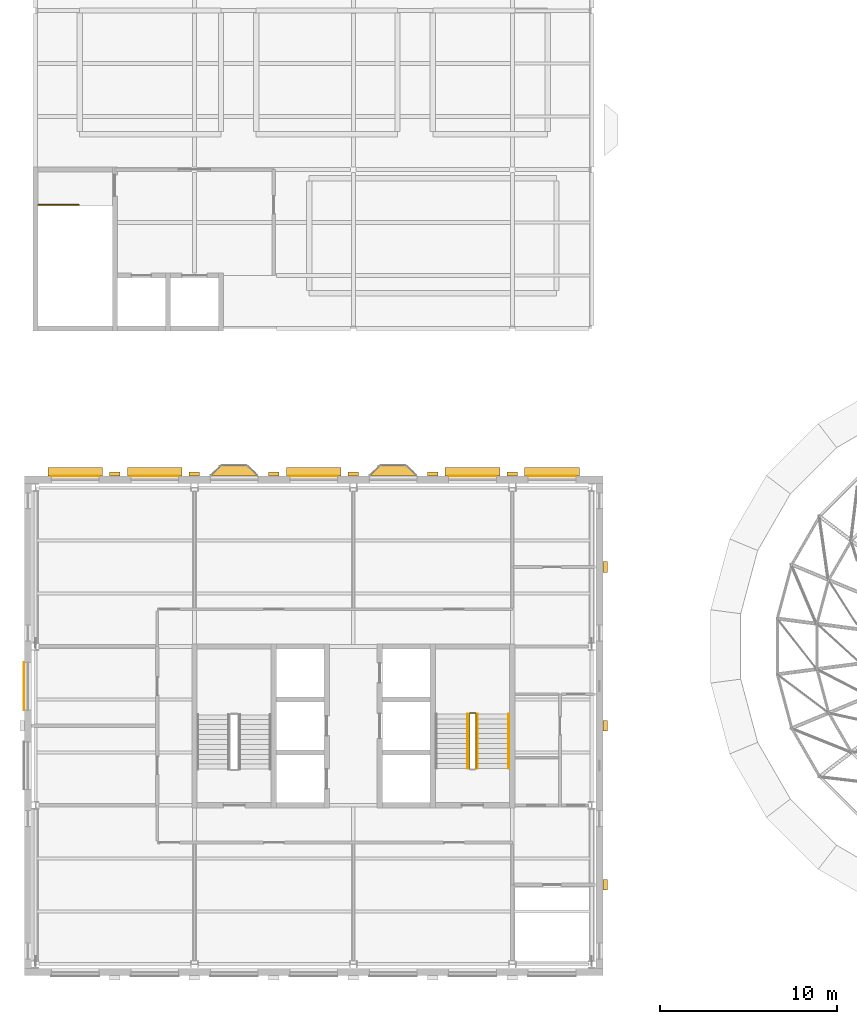
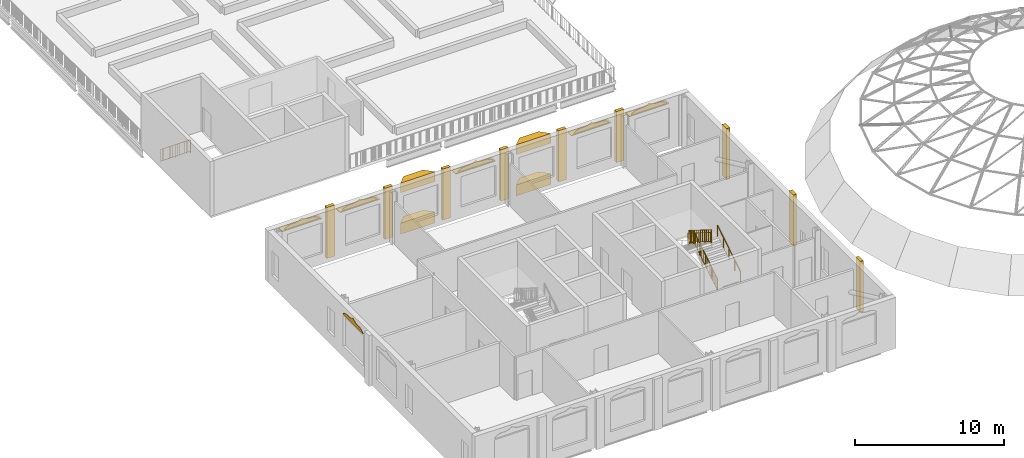
# One storey, part 32 of 33: 19 coverings, 7 railings, 5 shading devices.
"""IFC4 building model written with IfcOpenShell, lengths in metres."""

from ifc_helpers import new_model, si_unit, direction, frame, origin, origin_2d, place, context, subcontext, project, spatial, polyline, rectangle, circle, outline, extrude, material, layer, layer_set, type_object, element, save


model = new_model("IFC4")

# Units and contexts
model_context = context("Model", 3, precision=1e-05, world=origin(), true_north=direction((0.0, 1.0)))
body_context = subcontext(model_context, "Body", "Model", "MODEL_VIEW")
ifc_project = project(units=[si_unit("LENGTHUNIT", "METRE"), si_unit("AREAUNIT", "SQUARE_METRE"), si_unit("VOLUMEUNIT", "CUBIC_METRE"), si_unit("PLANEANGLEUNIT", "RADIAN"), si_unit("MASSUNIT", "GRAM", prefix="KILO")], contexts=[model_context])

# Site, building, storey
site_placement = place(None, origin())
site = spatial("IfcSite", under=ifc_project, at=site_placement, CompositionType="ELEMENT")
building_placement = place(site_placement, origin())
building = spatial("IfcBuilding", under=site, at=building_placement, Name="Hortulan Conservatory and Botanical Research Centre", CompositionType="ELEMENT")
storey_placement = place(building_placement, frame((0.0, 0.0, 19.199951171875)))
storey = spatial("IfcBuildingStorey", under=building, at=storey_placement, Name="L04", CompositionType="ELEMENT", Elevation=19.199951171875)

# Shading devices
ifc_material_1 = material(Name="Bronze-finished perforated aluminium", Category="aluminium")
ifc_layer_1 = layer(ifc_material_1, 0.06005859375)
ifc_layer_set_1 = layer_set([ifc_layer_1], Name="Catenary Hood 3100x500x60")
shading_device_type = type_object("IfcShadingDeviceType", Name="Catenary Hood 3100x500x60", PredefinedType="USERDEFINED", material=ifc_layer_set_1)
for number, where, z_axis, x_axis, name in (
    (1, (2.25, 27.885986328125, 3.409912109375), (0.0, 0.0, 1.0), (1.0, 0.0, 0.0), "Catenary hood"),
    (2, (6.75, 27.885986328125, 3.409912109375), (0.0, 0.0, 1.0), (1.0, 0.0, 0.0), "Catenary hood"),
    (3, (15.75, 27.885986328125, 3.409912109375), (0.0, 0.0, 1.0), (1.0, 0.0, 0.0), "Catenary hood"),
    (4, (24.75, 27.885986328125, 3.409912109375), (0.0, 0.0, 1.0), (1.0, 0.0, 0.0), "Catenary hood"),
    (5, (29.25, 27.885986328125, 3.409912109375), (0.0, 0.0, 1.0), (1.0, 0.0, 0.0), "Catenary hood"),
):
    element("IfcShadingDevice", number, at=place(storey_placement, frame(where, z_axis=z_axis, x_axis=x_axis)), inside=storey, type_object=shading_device_type, Name=name, ObjectType="Catenary hood", PredefinedType="USERDEFINED", context=body_context, shape_type="SweptSolid", body=[
        extrude(rectangle(XDim=3.10009765625, YDim=0.5, at=origin_2d()), origin(), (0.0, 0.0, 1.0), 0.06005859375),
    ])

# Coverings
ifc_material_2 = material(Name="Faience cladding, cream glaze (non-combustible)", Category="ceramic")
ifc_layer_2 = layer(ifc_material_2, 0.030029296875)
ifc_layer_set_2 = layer_set([ifc_layer_2], Name="Faience Ogee Head Panel Cream 2700x500")
covering_type_1 = type_object("IfcCoveringType", Name="Faience Ogee Head Panel Cream 2700x500", PredefinedType="CLADDING", material=ifc_layer_set_2)
for number, where, z_axis, x_axis, name in (
    (6, (-0.639892578125, 14.39990234375, 3.52001953125), (0.0, 0.0, 1.0), (0.0, 1.0, 0.0), "Ogee head panel"),
    (7, (14.39990234375, 27.65087890625, 3.52001953125), (0.0, 0.0, 1.0), (1.0, 0.0, 0.0), "Ogee head panel"),
):
    element("IfcCovering", number, at=place(storey_placement, frame(where, z_axis=z_axis, x_axis=x_axis)), inside=storey, type_object=covering_type_1, Name=name, PredefinedType="CLADDING", context=body_context, shape_type="SweptSolid", body=[
        extrude(outline(polyline([(0.0, 0.0), (2.699951171875, 0.0), (2.699951171875, 0.080078125), (2.58740234375, 0.148681640625), (2.47509765625, 0.208251953125), (2.362548828125, 0.252197265625), (2.25, 0.2783203125), (2.137451171875, 0.28857421875), (2.02490234375, 0.2900390625), (1.91259765625, 0.29150390625), (1.800048828125, 0.3017578125), (1.6875, 0.327880859375), (1.574951171875, 0.371826171875), (1.46240234375, 0.431396484375), (1.35009765625, 0.5), (1.237548828125, 0.431396484375), (1.125, 0.371826171875), (1.012451171875, 0.327880859375), (0.89990234375, 0.3017578125), (0.78759765625, 0.29150390625), (0.675048828125, 0.2900390625), (0.5625, 0.28857421875), (0.449951171875, 0.2783203125), (0.33740234375, 0.252197265625), (0.22509765625, 0.208251953125), (0.112548828125, 0.148681640625), (0.0, 0.080078125), (0.0, 0.0)])), frame((0.0, 0.01513671875, 0.0), z_axis=(0.0, -1.0, 0.0), x_axis=(1.0, 0.0, 0.0)), (0.0, 0.0, 1.0), 0.030029296875),
    ])
ifc_material_3 = material(Name="Faience cladding, waratah crimson glaze (non-combustible)", Category="ceramic")
ifc_layer_3 = layer(ifc_material_3, 0.030029296875)
ifc_layer_set_3 = layer_set([ifc_layer_3], Name="Faience Ogee Head Panel Crimson 2700x500")
covering_type_2 = type_object("IfcCoveringType", Name="Faience Ogee Head Panel Crimson 2700x500", PredefinedType="CLADDING", material=ifc_layer_set_3)
for number, where, z_axis, x_axis, name in (
    (8, (0.89990234375, 27.65087890625, 3.52001953125), (0.0, 0.0, 1.0), (1.0, 0.0, 0.0), "Ogee head panel"),
    (9, (23.39990234375, 27.65087890625, 3.52001953125), (0.0, 0.0, 1.0), (1.0, 0.0, 0.0), "Ogee head panel"),
    (10, (27.89990234375, 27.65087890625, 3.52001953125), (0.0, 0.0, 1.0), (1.0, 0.0, 0.0), "Ogee head panel"),
):
    element("IfcCovering", number, at=place(storey_placement, frame(where, z_axis=z_axis, x_axis=x_axis)), inside=storey, type_object=covering_type_2, Name=name, PredefinedType="CLADDING", context=body_context, shape_type="SweptSolid", body=[
        extrude(outline(polyline([(0.0, 0.0), (2.699951171875, 0.0), (2.699951171875, 0.080078125), (2.58740234375, 0.148681640625), (2.47509765625, 0.208251953125), (2.362548828125, 0.252197265625), (2.25, 0.2783203125), (2.137451171875, 0.28857421875), (2.02490234375, 0.2900390625), (1.91259765625, 0.29150390625), (1.800048828125, 0.3017578125), (1.6875, 0.327880859375), (1.574951171875, 0.371826171875), (1.46240234375, 0.431396484375), (1.35009765625, 0.5), (1.237548828125, 0.431396484375), (1.125, 0.371826171875), (1.012451171875, 0.327880859375), (0.89990234375, 0.3017578125), (0.78759765625, 0.29150390625), (0.675048828125, 0.2900390625), (0.5625, 0.28857421875), (0.449951171875, 0.2783203125), (0.33740234375, 0.252197265625), (0.22509765625, 0.208251953125), (0.112548828125, 0.148681640625), (0.0, 0.080078125), (0.0, 0.0)])), frame((0.0, 0.01513671875, 0.0), z_axis=(0.0, -1.0, 0.0), x_axis=(1.0, 0.0, 0.0)), (0.0, 0.0, 1.0), 0.030029296875),
    ])
ifc_material_4 = material(Name="Faience cladding, harbour teal glaze (non-combustible)", Category="ceramic")
ifc_layer_4 = layer(ifc_material_4, 0.030029296875)
ifc_layer_set_4 = layer_set([ifc_layer_4], Name="Faience Ogee Head Panel Teal 2700x500")
covering_type_3 = type_object("IfcCoveringType", Name="Faience Ogee Head Panel Teal 2700x500", PredefinedType="CLADDING", material=ifc_layer_set_4)
covering_1_placement = place(storey_placement, frame((5.39990234375, 27.65087890625, 3.52001953125), z_axis=(0.0, 0.0, 1.0), x_axis=(1.0, 0.0, 0.0)))
element("IfcCovering", 11, at=covering_1_placement, inside=storey, type_object=covering_type_3, Name="Ogee head panel", PredefinedType="CLADDING", context=body_context, shape_type="SweptSolid", body=[
    extrude(outline(polyline([(0.0, 0.0), (2.699951171875, 0.0), (2.699951171875, 0.080078125), (2.58740234375, 0.148681640625), (2.47509765625, 0.208251953125), (2.362548828125, 0.252197265625), (2.25, 0.2783203125), (2.137451171875, 0.28857421875), (2.02490234375, 0.2900390625), (1.91259765625, 0.29150390625), (1.800048828125, 0.3017578125), (1.6875, 0.327880859375), (1.574951171875, 0.371826171875), (1.46240234375, 0.431396484375), (1.35009765625, 0.5), (1.237548828125, 0.431396484375), (1.125, 0.371826171875), (1.012451171875, 0.327880859375), (0.89990234375, 0.3017578125), (0.78759765625, 0.29150390625), (0.675048828125, 0.2900390625), (0.5625, 0.28857421875), (0.449951171875, 0.2783203125), (0.33740234375, 0.252197265625), (0.22509765625, 0.208251953125), (0.112548828125, 0.148681640625), (0.0, 0.080078125), (0.0, 0.0)])), frame((0.0, 0.01513671875, 0.0), z_axis=(0.0, -1.0, 0.0), x_axis=(1.0, 0.0, 0.0)), (0.0, 0.0, 1.0), 0.030029296875),
])
ifc_material_5 = material(Name="Faience-faced brickwork masonry", Category="masonry")
covering_type_4 = type_object("IfcCoveringType", Name="Faience Oriel Base", PredefinedType="CLADDING", material=ifc_material_5)
covering_2_placement = place(storey_placement, origin())
element("IfcCovering", 12, at=covering_2_placement, inside=storey, type_object=covering_type_4, Name="Oriel base", PredefinedType="CLADDING", context=body_context, shape_type="SweptSolid", body=[
    extrude(outline(polyline([(9.89990234375, 27.635986328125), (10.5, 28.236083984375), (12.0, 28.236083984375), (12.60009765625, 27.635986328125), (9.89990234375, 27.635986328125)])), origin(), (0.0, 0.0, 1.0), 0.900146484375),
])
covering_3_placement = place(storey_placement, origin())
element("IfcCovering", 13, at=covering_3_placement, inside=storey, type_object=covering_type_4, Name="Oriel base", PredefinedType="CLADDING", context=body_context, shape_type="SweptSolid", body=[
    extrude(outline(polyline([(18.89990234375, 27.635986328125), (19.5, 28.236083984375), (21.0, 28.236083984375), (21.60009765625, 27.635986328125), (18.89990234375, 27.635986328125)])), origin(), (0.0, 0.0, 1.0), 0.900146484375),
])
covering_type_5 = type_object("IfcCoveringType", Name="Faience Oriel Frieze", PredefinedType="CLADDING", material=ifc_material_5)
covering_4_placement = place(storey_placement, frame((0.0, 0.0, 3.400146484375)))
element("IfcCovering", 14, at=covering_4_placement, inside=storey, type_object=covering_type_5, Name="Oriel frieze", PredefinedType="CLADDING", context=body_context, shape_type="SweptSolid", body=[
    extrude(outline(polyline([(9.89990234375, 27.635986328125), (10.5, 28.236083984375), (12.0, 28.236083984375), (12.60009765625, 27.635986328125), (9.89990234375, 27.635986328125)])), origin(), (0.0, 0.0, 1.0), 0.7998046875),
])
covering_5_placement = place(storey_placement, frame((0.0, 0.0, 3.400146484375)))
element("IfcCovering", 15, at=covering_5_placement, inside=storey, type_object=covering_type_5, Name="Oriel frieze", PredefinedType="CLADDING", context=body_context, shape_type="SweptSolid", body=[
    extrude(outline(polyline([(18.89990234375, 27.635986328125), (19.5, 28.236083984375), (21.0, 28.236083984375), (21.60009765625, 27.635986328125), (18.89990234375, 27.635986328125)])), origin(), (0.0, 0.0, 1.0), 0.7998046875),
])
ifc_layer_5 = layer(ifc_material_2, 0.25)
ifc_layer_set_5 = layer_set([ifc_layer_5], Name="Faience Pilaster 600x250")
covering_type_6 = type_object("IfcCoveringType", Name="Faience Pilaster 600x250", PredefinedType="CLADDING", material=ifc_layer_set_5)
for number, where, z_axis, x_axis, name in (
    (16, (4.5, 27.760986328125, 0.0), (0.0, 0.0, 1.0), (1.0, 0.0, 0.0), "Pier"),
    (17, (9.0, 27.760986328125, 0.0), (0.0, 0.0, 1.0), (1.0, 0.0, 0.0), "Pier"),
    (18, (13.5, 27.760986328125, 0.0), (0.0, 0.0, 1.0), (1.0, 0.0, 0.0), "Pier"),
    (19, (18.0, 27.760986328125, 0.0), (0.0, 0.0, 1.0), (1.0, 0.0, 0.0), "Pier"),
    (20, (22.5, 27.760986328125, 0.0), (0.0, 0.0, 1.0), (1.0, 0.0, 0.0), "Pier"),
    (21, (27.0, 27.760986328125, 0.0), (0.0, 0.0, 1.0), (1.0, 0.0, 0.0), "Pier"),
    (22, (32.25, 4.5, 0.0), (0.0, 0.0, 1.0), (0.0, 1.0, 0.0), "Pier"),
    (23, (32.25, 13.5, 0.0), (0.0, 0.0, 1.0), (0.0, 1.0, 0.0), "Pier"),
    (24, (32.25, 22.5, 0.0), (0.0, 0.0, 1.0), (0.0, 1.0, 0.0), "Pier"),
):
    element("IfcCovering", number, at=place(storey_placement, frame(where, z_axis=z_axis, x_axis=x_axis)), inside=storey, type_object=covering_type_6, Name=name, PredefinedType="CLADDING", context=body_context, shape_type="SweptSolid", body=[
        extrude(rectangle(XDim=0.60009765625, YDim=0.25, at=origin_2d()), origin(), (0.0, 0.0, 1.0), 4.199951171875),
    ])

# Railings
ifc_material_6 = material(Name="Steel balustrade, bronze-charcoal paint", Category="steel")
railing_type_1 = type_object("IfcRailingType", Name="Stair Guard 1100", PredefinedType="GUARDRAIL", material=ifc_material_6)
railing_1_placement = place(storey_placement, frame((24.949951171875, 11.10009765625, 0.175048828125)))
element("IfcRailing", 25, at=railing_1_placement, inside=storey, type_object=railing_type_1, Name="Guard T2 L04 stair 1", PredefinedType="GUARDRAIL", context=body_context, shape_type="SweptSolid", body=[
    extrude(circle(Radius=0.02392578125, at=origin_2d()), frame((0.0, 0.0, 1.076171875), z_axis=(0.0, 0.847979421464, 0.530029150871), x_axis=(-1.0, 0.0, 0.0)), (0.0, 0.0, 1.0), 3.632080078125),
    extrude(circle(Radius=0.02392578125, at=origin_2d()), frame((0.0, 0.0, 0.1240234375), z_axis=(0.0, 0.847979421464, 0.530029150871), x_axis=(-1.0, 0.0, 0.0)), (0.0, 0.0, 1.0), 3.632080078125),
    extrude(circle(Radius=0.008056640625, at=origin_2d()), frame((0.0, 0.090576171875, 0.204833984375)), (0.0, 0.0, 1.0), 0.90380859375),
    extrude(circle(Radius=0.008056640625, at=origin_2d()), frame((0.0, 0.18115234375, 0.261474609375)), (0.0, 0.0, 1.0), 0.90380859375),
    extrude(circle(Radius=0.008056640625, at=origin_2d()), frame((0.0, 0.271728515625, 0.318115234375)), (0.0, 0.0, 1.0), 0.90380859375),
    extrude(circle(Radius=0.008056640625, at=origin_2d()), frame((0.0, 0.3623046875, 0.374755859375)), (0.0, 0.0, 1.0), 0.90380859375),
    extrude(circle(Radius=0.008056640625, at=origin_2d()), frame((0.0, 0.452880859375, 0.431396484375)), (0.0, 0.0, 1.0), 0.90380859375),
    extrude(circle(Radius=0.008056640625, at=origin_2d()), frame((0.0, 0.54345703125, 0.48779296875)), (0.0, 0.0, 1.0), 0.90380859375),
    extrude(circle(Radius=0.008056640625, at=origin_2d()), frame((0.0, 0.634033203125, 0.54443359375)), (0.0, 0.0, 1.0), 0.90380859375),
    extrude(circle(Radius=0.008056640625, at=origin_2d()), frame((0.0, 0.724609375, 0.60107421875)), (0.0, 0.0, 1.0), 0.90380859375),
    extrude(circle(Radius=0.008056640625, at=origin_2d()), frame((0.0, 0.815185546875, 0.65771484375)), (0.0, 0.0, 1.0), 0.90380859375),
    extrude(circle(Radius=0.008056640625, at=origin_2d()), frame((0.0, 0.90576171875, 0.71435546875)), (0.0, 0.0, 1.0), 0.90380859375),
    extrude(circle(Radius=0.008056640625, at=origin_2d()), frame((0.0, 0.996337890625, 0.77099609375)), (0.0, 0.0, 1.0), 0.90380859375),
    extrude(circle(Radius=0.008056640625, at=origin_2d()), frame((0.0, 1.0869140625, 0.82763671875)), (0.0, 0.0, 1.0), 0.90380859375),
    extrude(circle(Radius=0.008056640625, at=origin_2d()), frame((0.0, 1.177490234375, 0.88427734375)), (0.0, 0.0, 1.0), 0.90380859375),
    extrude(circle(Radius=0.008056640625, at=origin_2d()), frame((0.0, 1.26806640625, 0.94091796875)), (0.0, 0.0, 1.0), 0.90380859375),
    extrude(circle(Radius=0.008056640625, at=origin_2d()), frame((0.0, 1.358642578125, 0.99755859375)), (0.0, 0.0, 1.0), 0.90380859375),
    extrude(circle(Radius=0.008056640625, at=origin_2d()), frame((0.0, 1.44921875, 1.05419921875)), (0.0, 0.0, 1.0), 0.90380859375),
    extrude(circle(Radius=0.008056640625, at=origin_2d()), frame((0.0, 1.5400390625, 1.11083984375)), (0.0, 0.0, 1.0), 0.90380859375),
    extrude(circle(Radius=0.008056640625, at=origin_2d()), frame((0.0, 1.630615234375, 1.167236328125)), (0.0, 0.0, 1.0), 0.90380859375),
    extrude(circle(Radius=0.008056640625, at=origin_2d()), frame((0.0, 1.72119140625, 1.223876953125)), (0.0, 0.0, 1.0), 0.90380859375),
    extrude(circle(Radius=0.008056640625, at=origin_2d()), frame((0.0, 1.811767578125, 1.280517578125)), (0.0, 0.0, 1.0), 0.90380859375),
    extrude(circle(Radius=0.008056640625, at=origin_2d()), frame((0.0, 1.90234375, 1.337158203125)), (0.0, 0.0, 1.0), 0.90380859375),
    extrude(circle(Radius=0.008056640625, at=origin_2d()), frame((0.0, 1.992919921875, 1.393798828125)), (0.0, 0.0, 1.0), 0.90380859375),
    extrude(circle(Radius=0.008056640625, at=origin_2d()), frame((0.0, 2.08349609375, 1.450439453125)), (0.0, 0.0, 1.0), 0.90380859375),
    extrude(circle(Radius=0.008056640625, at=origin_2d()), frame((0.0, 2.174072265625, 1.507080078125)), (0.0, 0.0, 1.0), 0.90380859375),
    extrude(circle(Radius=0.008056640625, at=origin_2d()), frame((0.0, 2.2646484375, 1.563720703125)), (0.0, 0.0, 1.0), 0.90380859375),
    extrude(circle(Radius=0.008056640625, at=origin_2d()), frame((0.0, 2.355224609375, 1.620361328125)), (0.0, 0.0, 1.0), 0.90380859375),
    extrude(circle(Radius=0.008056640625, at=origin_2d()), frame((0.0, 2.44580078125, 1.677001953125)), (0.0, 0.0, 1.0), 0.90380859375),
    extrude(circle(Radius=0.008056640625, at=origin_2d()), frame((0.0, 2.536376953125, 1.733642578125)), (0.0, 0.0, 1.0), 0.90380859375),
    extrude(circle(Radius=0.008056640625, at=origin_2d()), frame((0.0, 2.626953125, 1.7900390625)), (0.0, 0.0, 1.0), 0.90380859375),
    extrude(circle(Radius=0.008056640625, at=origin_2d()), frame((0.0, 2.717529296875, 1.8466796875)), (0.0, 0.0, 1.0), 0.90380859375),
    extrude(circle(Radius=0.008056640625, at=origin_2d()), frame((0.0, 2.80810546875, 1.9033203125)), (0.0, 0.0, 1.0), 0.90380859375),
    extrude(circle(Radius=0.008056640625, at=origin_2d()), frame((0.0, 2.898681640625, 1.9599609375)), (0.0, 0.0, 1.0), 0.90380859375),
    extrude(circle(Radius=0.008056640625, at=origin_2d()), frame((0.0, 2.9892578125, 2.0166015625)), (0.0, 0.0, 1.0), 0.90380859375),
    extrude(circle(Radius=0.02099609375, at=origin_2d()), origin(), (0.0, 0.0, 1.0), 1.052001953125),
    extrude(circle(Radius=0.02099609375, at=origin_2d()), frame((0.0, 0.77001953125, 0.481201171875)), (0.0, 0.0, 1.0), 1.052001953125),
    extrude(circle(Radius=0.02099609375, at=origin_2d()), frame((0.0, 1.5400390625, 0.96240234375)), (0.0, 0.0, 1.0), 1.052001953125),
    extrude(circle(Radius=0.02099609375, at=origin_2d()), frame((0.0, 2.309814453125, 1.44384765625)), (0.0, 0.0, 1.0), 1.052001953125),
    extrude(circle(Radius=0.02099609375, at=origin_2d()), frame((0.0, 3.079833984375, 1.925048828125)), (0.0, 0.0, 1.0), 1.052001953125),
])
railing_2_placement = place(storey_placement, frame((24.89990234375, 14.22998046875, 2.10009765625)))
element("IfcRailing", 26, at=railing_2_placement, inside=storey, type_object=railing_type_1, Name="Guard T2 L04 stair 2", PredefinedType="GUARDRAIL", context=body_context, shape_type="SweptSolid", body=[
    extrude(circle(Radius=0.02392578125, at=origin_2d()), frame((0.0, 0.0, 1.076171875), z_axis=(-1.0, 0.0, 0.0), x_axis=(0.0, -1.0, 0.0)), (0.0, 0.0, 1.0), 0.2998046875),
    extrude(circle(Radius=0.02392578125, at=origin_2d()), frame((0.0, 0.0, 0.1240234375), z_axis=(-1.0, 0.0, 0.0), x_axis=(0.0, -1.0, 0.0)), (0.0, 0.0, 1.0), 0.2998046875),
    extrude(circle(Radius=0.008056640625, at=origin_2d()), frame((-0.099853515625, 0.0, 0.148193359375)), (0.0, 0.0, 1.0), 0.90380859375),
    extrude(circle(Radius=0.008056640625, at=origin_2d()), frame((-0.199951171875, 0.0, 0.148193359375)), (0.0, 0.0, 1.0), 0.90380859375),
    extrude(circle(Radius=0.02099609375, at=origin_2d()), origin(), (0.0, 0.0, 1.0), 1.052001953125),
    extrude(circle(Radius=0.02099609375, at=origin_2d()), frame((-0.2998046875, 0.0, 0.0)), (0.0, 0.0, 1.0), 1.052001953125),
])
railing_3_placement = place(storey_placement, frame((24.550048828125, 14.179931640625, 2.275146484375)))
element("IfcRailing", 27, at=railing_3_placement, inside=storey, type_object=railing_type_1, Name="Guard T2 L04 stair 3", PredefinedType="GUARDRAIL", context=body_context, shape_type="SweptSolid", body=[
    extrude(circle(Radius=0.02392578125, at=origin_2d()), frame((0.0, 0.0, 1.076171875), z_axis=(0.0, -0.848009633417, 0.529980812513), x_axis=(1.0, 0.0, 0.0)), (0.0, 0.0, 1.0), 3.6318359375),
    extrude(circle(Radius=0.02392578125, at=origin_2d()), frame((0.0, 0.0, 0.1240234375), z_axis=(0.0, -0.848009633417, 0.529980812513), x_axis=(1.0, 0.0, 0.0)), (0.0, 0.0, 1.0), 3.6318359375),
    extrude(circle(Radius=0.008056640625, at=origin_2d()), frame((0.0, -0.090576171875, 0.204833984375)), (0.0, 0.0, 1.0), 0.90380859375),
    extrude(circle(Radius=0.008056640625, at=origin_2d()), frame((0.0, -0.18115234375, 0.261474609375)), (0.0, 0.0, 1.0), 0.90380859375),
    extrude(circle(Radius=0.008056640625, at=origin_2d()), frame((0.0, -0.271728515625, 0.318115234375)), (0.0, 0.0, 1.0), 0.90380859375),
    extrude(circle(Radius=0.008056640625, at=origin_2d()), frame((0.0, -0.3623046875, 0.374755859375)), (0.0, 0.0, 1.0), 0.90380859375),
    extrude(circle(Radius=0.008056640625, at=origin_2d()), frame((0.0, -0.452880859375, 0.43115234375)), (0.0, 0.0, 1.0), 0.90380859375),
    extrude(circle(Radius=0.008056640625, at=origin_2d()), frame((0.0, -0.54345703125, 0.48779296875)), (0.0, 0.0, 1.0), 0.90380859375),
    extrude(circle(Radius=0.008056640625, at=origin_2d()), frame((0.0, -0.634033203125, 0.54443359375)), (0.0, 0.0, 1.0), 0.90380859375),
    extrude(circle(Radius=0.008056640625, at=origin_2d()), frame((0.0, -0.724609375, 0.60107421875)), (0.0, 0.0, 1.0), 0.90380859375),
    extrude(circle(Radius=0.008056640625, at=origin_2d()), frame((0.0, -0.815185546875, 0.65771484375)), (0.0, 0.0, 1.0), 0.90380859375),
    extrude(circle(Radius=0.008056640625, at=origin_2d()), frame((0.0, -0.90576171875, 0.71435546875)), (0.0, 0.0, 1.0), 0.90380859375),
    extrude(circle(Radius=0.008056640625, at=origin_2d()), frame((0.0, -0.996337890625, 0.77099609375)), (0.0, 0.0, 1.0), 0.90380859375),
    extrude(circle(Radius=0.008056640625, at=origin_2d()), frame((0.0, -1.0869140625, 0.82763671875)), (0.0, 0.0, 1.0), 0.90380859375),
    extrude(circle(Radius=0.008056640625, at=origin_2d()), frame((0.0, -1.177490234375, 0.884033203125)), (0.0, 0.0, 1.0), 0.90380859375),
    extrude(circle(Radius=0.008056640625, at=origin_2d()), frame((0.0, -1.26806640625, 0.940673828125)), (0.0, 0.0, 1.0), 0.90380859375),
    extrude(circle(Radius=0.008056640625, at=origin_2d()), frame((0.0, -1.358642578125, 0.997314453125)), (0.0, 0.0, 1.0), 0.90380859375),
    extrude(circle(Radius=0.008056640625, at=origin_2d()), frame((0.0, -1.44921875, 1.053955078125)), (0.0, 0.0, 1.0), 0.90380859375),
    extrude(circle(Radius=0.008056640625, at=origin_2d()), frame((0.0, -1.5400390625, 1.110595703125)), (0.0, 0.0, 1.0), 0.90380859375),
    extrude(circle(Radius=0.008056640625, at=origin_2d()), frame((0.0, -1.630615234375, 1.167236328125)), (0.0, 0.0, 1.0), 0.90380859375),
    extrude(circle(Radius=0.008056640625, at=origin_2d()), frame((0.0, -1.72119140625, 1.223876953125)), (0.0, 0.0, 1.0), 0.90380859375),
    extrude(circle(Radius=0.008056640625, at=origin_2d()), frame((0.0, -1.811767578125, 1.280517578125)), (0.0, 0.0, 1.0), 0.90380859375),
    extrude(circle(Radius=0.008056640625, at=origin_2d()), frame((0.0, -1.90234375, 1.337158203125)), (0.0, 0.0, 1.0), 0.90380859375),
    extrude(circle(Radius=0.008056640625, at=origin_2d()), frame((0.0, -1.992919921875, 1.3935546875)), (0.0, 0.0, 1.0), 0.90380859375),
    extrude(circle(Radius=0.008056640625, at=origin_2d()), frame((0.0, -2.08349609375, 1.4501953125)), (0.0, 0.0, 1.0), 0.90380859375),
    extrude(circle(Radius=0.008056640625, at=origin_2d()), frame((0.0, -2.174072265625, 1.5068359375)), (0.0, 0.0, 1.0), 0.90380859375),
    extrude(circle(Radius=0.008056640625, at=origin_2d()), frame((0.0, -2.2646484375, 1.5634765625)), (0.0, 0.0, 1.0), 0.90380859375),
    extrude(circle(Radius=0.008056640625, at=origin_2d()), frame((0.0, -2.355224609375, 1.6201171875)), (0.0, 0.0, 1.0), 0.90380859375),
    extrude(circle(Radius=0.008056640625, at=origin_2d()), frame((0.0, -2.44580078125, 1.6767578125)), (0.0, 0.0, 1.0), 0.90380859375),
    extrude(circle(Radius=0.008056640625, at=origin_2d()), frame((0.0, -2.536376953125, 1.7333984375)), (0.0, 0.0, 1.0), 0.90380859375),
    extrude(circle(Radius=0.008056640625, at=origin_2d()), frame((0.0, -2.626953125, 1.7900390625)), (0.0, 0.0, 1.0), 0.90380859375),
    extrude(circle(Radius=0.008056640625, at=origin_2d()), frame((0.0, -2.717529296875, 1.846435546875)), (0.0, 0.0, 1.0), 0.90380859375),
    extrude(circle(Radius=0.008056640625, at=origin_2d()), frame((0.0, -2.80810546875, 1.903076171875)), (0.0, 0.0, 1.0), 0.90380859375),
    extrude(circle(Radius=0.008056640625, at=origin_2d()), frame((0.0, -2.898681640625, 1.959716796875)), (0.0, 0.0, 1.0), 0.90380859375),
    extrude(circle(Radius=0.008056640625, at=origin_2d()), frame((0.0, -2.9892578125, 2.016357421875)), (0.0, 0.0, 1.0), 0.90380859375),
    extrude(circle(Radius=0.02099609375, at=origin_2d()), origin(), (0.0, 0.0, 1.0), 1.052001953125),
    extrude(circle(Radius=0.02099609375, at=origin_2d()), frame((0.0, -0.77001953125, 0.481201171875)), (0.0, 0.0, 1.0), 1.052001953125),
    extrude(circle(Radius=0.02099609375, at=origin_2d()), frame((0.0, -1.5400390625, 0.96240234375)), (0.0, 0.0, 1.0), 1.052001953125),
    extrude(circle(Radius=0.02099609375, at=origin_2d()), frame((0.0, -2.309814453125, 1.443603515625)), (0.0, 0.0, 1.0), 1.052001953125),
    extrude(circle(Radius=0.02099609375, at=origin_2d()), frame((0.0, -3.079833984375, 1.9248046875)), (0.0, 0.0, 1.0), 1.052001953125),
])
railing_4_placement = place(storey_placement, frame((0.14990234375, 43.0, 0.0)))
element("IfcRailing", 28, at=railing_4_placement, inside=storey, type_object=railing_type_1, Name="Guard V1 L04 stair well 1", PredefinedType="GUARDRAIL", context=body_context, shape_type="SweptSolid", body=[
    extrude(circle(Radius=0.02392578125, at=origin_2d()), frame((0.0, 0.0, 1.076171875), z_axis=(1.0, 0.0, 0.0), x_axis=(0.0, 1.0, 0.0)), (0.0, 0.0, 1.0), 2.300048828125),
    extrude(circle(Radius=0.02392578125, at=origin_2d()), frame((0.0, 0.0, 0.1240234375), z_axis=(1.0, 0.0, 0.0), x_axis=(0.0, 1.0, 0.0)), (0.0, 0.0, 1.0), 2.300048828125),
    extrude(circle(Radius=0.008056640625, at=origin_2d()), frame((0.109619140625, 0.0, 0.148193359375)), (0.0, 0.0, 1.0), 0.90380859375),
    extrude(circle(Radius=0.008056640625, at=origin_2d()), frame((0.218994140625, 0.0, 0.148193359375)), (0.0, 0.0, 1.0), 0.90380859375),
    extrude(circle(Radius=0.008056640625, at=origin_2d()), frame((0.32861328125, 0.0, 0.148193359375)), (0.0, 0.0, 1.0), 0.90380859375),
    extrude(circle(Radius=0.008056640625, at=origin_2d()), frame((0.43798828125, 0.0, 0.148193359375)), (0.0, 0.0, 1.0), 0.90380859375),
    extrude(circle(Radius=0.008056640625, at=origin_2d()), frame((0.547607421875, 0.0, 0.148193359375)), (0.0, 0.0, 1.0), 0.90380859375),
    extrude(circle(Radius=0.008056640625, at=origin_2d()), frame((0.6572265625, 0.0, 0.148193359375)), (0.0, 0.0, 1.0), 0.90380859375),
    extrude(circle(Radius=0.008056640625, at=origin_2d()), frame((0.7666015625, 0.0, 0.148193359375)), (0.0, 0.0, 1.0), 0.90380859375),
    extrude(circle(Radius=0.008056640625, at=origin_2d()), frame((0.876220703125, 0.0, 0.148193359375)), (0.0, 0.0, 1.0), 0.90380859375),
    extrude(circle(Radius=0.008056640625, at=origin_2d()), frame((0.98583984375, 0.0, 0.148193359375)), (0.0, 0.0, 1.0), 0.90380859375),
    extrude(circle(Radius=0.008056640625, at=origin_2d()), frame((1.09521484375, 0.0, 0.148193359375)), (0.0, 0.0, 1.0), 0.90380859375),
    extrude(circle(Radius=0.008056640625, at=origin_2d()), frame((1.204833984375, 0.0, 0.148193359375)), (0.0, 0.0, 1.0), 0.90380859375),
    extrude(circle(Radius=0.008056640625, at=origin_2d()), frame((1.314208984375, 0.0, 0.148193359375)), (0.0, 0.0, 1.0), 0.90380859375),
    extrude(circle(Radius=0.008056640625, at=origin_2d()), frame((1.423828125, 0.0, 0.148193359375)), (0.0, 0.0, 1.0), 0.90380859375),
    extrude(circle(Radius=0.008056640625, at=origin_2d()), frame((1.533447265625, 0.0, 0.148193359375)), (0.0, 0.0, 1.0), 0.90380859375),
    extrude(circle(Radius=0.008056640625, at=origin_2d()), frame((1.642822265625, 0.0, 0.148193359375)), (0.0, 0.0, 1.0), 0.90380859375),
    extrude(circle(Radius=0.008056640625, at=origin_2d()), frame((1.75244140625, 0.0, 0.148193359375)), (0.0, 0.0, 1.0), 0.90380859375),
    extrude(circle(Radius=0.008056640625, at=origin_2d()), frame((1.862060546875, 0.0, 0.148193359375)), (0.0, 0.0, 1.0), 0.90380859375),
    extrude(circle(Radius=0.008056640625, at=origin_2d()), frame((1.971435546875, 0.0, 0.148193359375)), (0.0, 0.0, 1.0), 0.90380859375),
    extrude(circle(Radius=0.008056640625, at=origin_2d()), frame((2.0810546875, 0.0, 0.148193359375)), (0.0, 0.0, 1.0), 0.90380859375),
    extrude(circle(Radius=0.008056640625, at=origin_2d()), frame((2.1904296875, 0.0, 0.148193359375)), (0.0, 0.0, 1.0), 0.90380859375),
    extrude(circle(Radius=0.02099609375, at=origin_2d()), origin(), (0.0, 0.0, 1.0), 1.052001953125),
    extrude(circle(Radius=0.02099609375, at=origin_2d()), frame((1.14990234375, 0.0, 0.0)), (0.0, 0.0, 1.0), 1.052001953125),
    extrude(circle(Radius=0.02099609375, at=origin_2d()), frame((2.300048828125, 0.0, 0.0)), (0.0, 0.0, 1.0), 1.052001953125),
])
ifc_material_7 = material(Name="Bronze handrail, polished", Category="metal")
railing_type_2 = type_object("IfcRailingType", Name="Stair Handrail 900", PredefinedType="HANDRAIL", material=ifc_material_7)
for number, where, name in (
    (29, (26.800048828125, 11.10009765625, 0.175048828125), "Handrail T2 L04 stair 1"),
    (30, (25.02001953125, 11.10009765625, 0.175048828125), "Handrail T2 L04 stair 3"),
):
    element("IfcRailing", number, at=place(storey_placement, frame(where)), inside=storey, type_object=railing_type_2, Name=name, PredefinedType="HANDRAIL", context=body_context, shape_type="SweptSolid", body=[
        extrude(circle(Radius=0.02392578125, at=origin_2d()), frame((0.0, 0.0, 0.8759765625), z_axis=(0.0, 0.847979421464, 0.530029150871), x_axis=(-1.0, 0.0, 0.0)), (0.0, 0.0, 1.0), 3.632080078125),
        extrude(circle(Radius=0.02099609375, at=origin_2d()), origin(), (0.0, 0.0, 1.0), 0.851806640625),
        extrude(circle(Radius=0.02099609375, at=origin_2d()), frame((0.0, 0.77001953125, 0.481201171875)), (0.0, 0.0, 1.0), 0.851806640625),
        extrude(circle(Radius=0.02099609375, at=origin_2d()), frame((0.0, 1.5400390625, 0.96240234375)), (0.0, 0.0, 1.0), 0.851806640625),
        extrude(circle(Radius=0.02099609375, at=origin_2d()), frame((0.0, 2.309814453125, 1.44384765625)), (0.0, 0.0, 1.0), 0.851806640625),
        extrude(circle(Radius=0.02099609375, at=origin_2d()), frame((0.0, 3.079833984375, 1.925048828125)), (0.0, 0.0, 1.0), 0.851806640625),
    ])
railing_5_placement = place(storey_placement, frame((24.47998046875, 14.179931640625, 2.275146484375)))
element("IfcRailing", 31, at=railing_5_placement, inside=storey, type_object=railing_type_2, Name="Handrail T2 L04 stair 4", PredefinedType="HANDRAIL", context=body_context, shape_type="SweptSolid", body=[
    extrude(circle(Radius=0.02392578125, at=origin_2d()), frame((0.0, 0.0, 0.8759765625), z_axis=(0.0, -0.848009633417, 0.529980812513), x_axis=(1.0, 0.0, 0.0)), (0.0, 0.0, 1.0), 3.6318359375),
    extrude(circle(Radius=0.02099609375, at=origin_2d()), origin(), (0.0, 0.0, 1.0), 0.851806640625),
    extrude(circle(Radius=0.02099609375, at=origin_2d()), frame((0.0, -0.77001953125, 0.481201171875)), (0.0, 0.0, 1.0), 0.851806640625),
    extrude(circle(Radius=0.02099609375, at=origin_2d()), frame((0.0, -1.5400390625, 0.96240234375)), (0.0, 0.0, 1.0), 0.851806640625),
    extrude(circle(Radius=0.02099609375, at=origin_2d()), frame((0.0, -2.309814453125, 1.443603515625)), (0.0, 0.0, 1.0), 0.851806640625),
    extrude(circle(Radius=0.02099609375, at=origin_2d()), frame((0.0, -3.079833984375, 1.9248046875)), (0.0, 0.0, 1.0), 0.851806640625),
])

save(model, "model.ifc")
